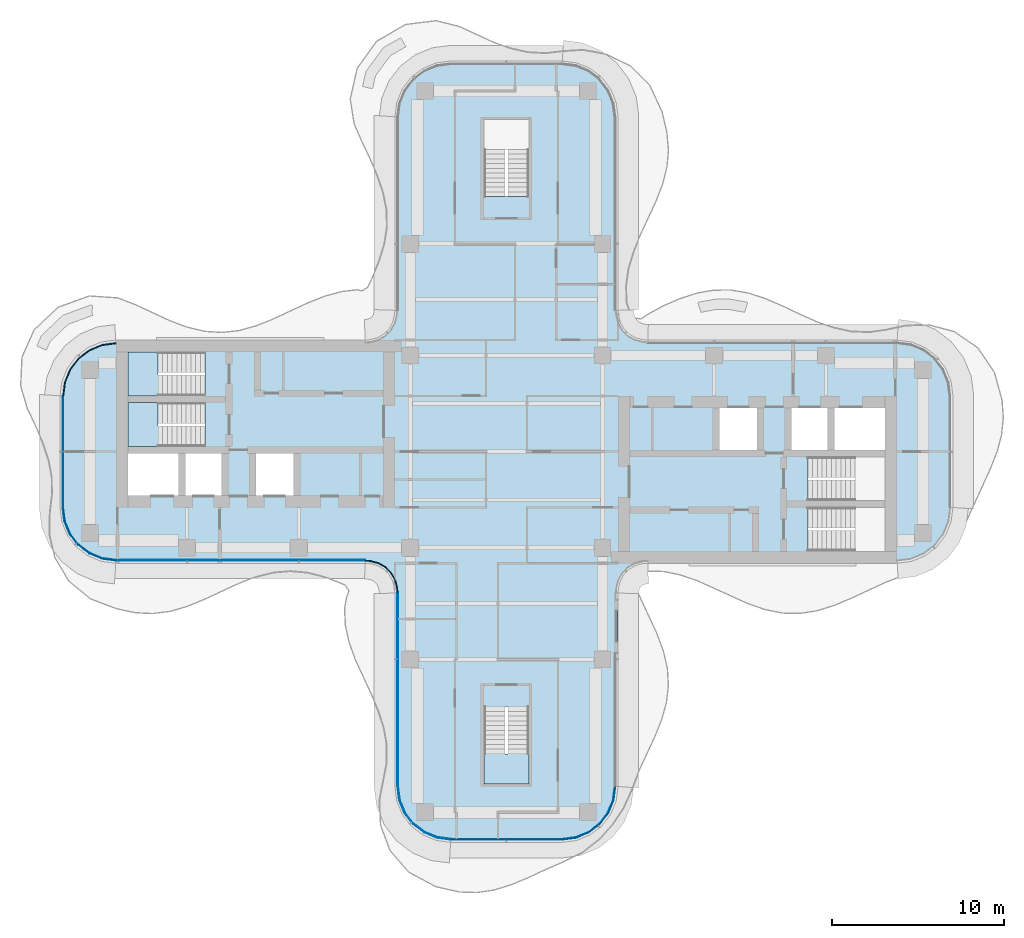
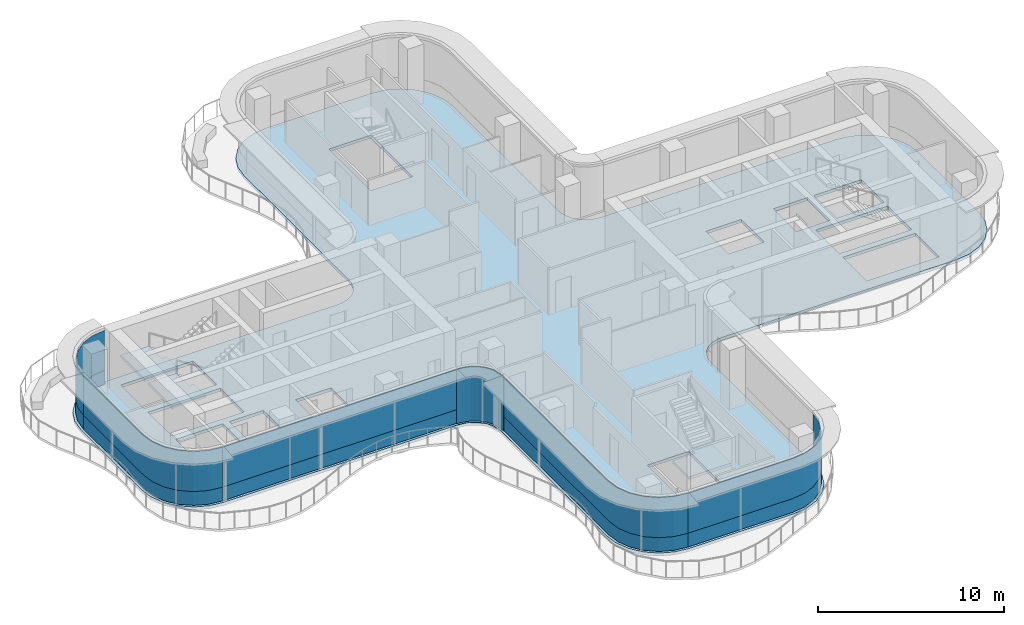
# One storey, part 8 of 17: 11 plates, 4 slabs, 9 elements without a shape of their own.
"""IFC4 building model written with IfcOpenShell, lengths in metres."""

from ifc_helpers import new_model, si_unit, direction, frame, origin, place, context, subcontext, project, spatial, polyline, outline, extrude, source, transform, mapped, material, layer, layer_set, type_object, element, aggregate, save


model = new_model("IFC4")

# Units and contexts
model_context = context("Model", 3, precision=1e-05, world=origin(), true_north=direction((0.0, 1.0)))
body_context = subcontext(model_context, "Body", "Model", "MODEL_VIEW")
ifc_project = project(units=[si_unit("LENGTHUNIT", "METRE"), si_unit("AREAUNIT", "SQUARE_METRE"), si_unit("VOLUMEUNIT", "CUBIC_METRE"), si_unit("PLANEANGLEUNIT", "RADIAN"), si_unit("MASSUNIT", "GRAM", prefix="KILO")], contexts=[model_context])

# Site, building, storey
site_placement = place(None, origin())
site = spatial("IfcSite", under=ifc_project, at=site_placement, CompositionType="ELEMENT")
building_placement = place(site_placement, origin())
building = spatial("IfcBuilding", under=site, at=building_placement, Name="Trellis Farm Tower", CompositionType="ELEMENT")
storey_placement = place(building_placement, frame((0.0, 0.0, 283.300048828125)))
storey = spatial("IfcBuildingStorey", under=building, at=storey_placement, Name="L63", CompositionType="ELEMENT", Elevation=283.300048828125)

# Slab
ifc_material_1 = material(Name="Concrete C40/50", Category="concrete")
ifc_layer_1 = layer(ifc_material_1, 0.199951171875)
ifc_layer_set_1 = layer_set([ifc_layer_1], Name="Composite deck floor slab 200")
slab_type_1 = type_object("IfcSlabType", Name="Composite deck floor slab 200", PredefinedType="FLOOR", material=ifc_layer_set_1)
shared_shape_1 = source(origin(), body_context, "Body", "SweptSolid", [
    extrude(outline(polyline([(-23.59130859375, -6.389404296875), (-24.375, -6.064697265625), (-25.048095703125, -5.548095703125), (-25.564697265625, -4.875), (-25.889404296875, -4.09130859375), (-26.0, -3.25), (-26.0, 3.25), (-25.889404296875, 4.09130859375), (-25.564697265625, 4.875), (-25.048095703125, 5.548095703125), (-24.375, 6.064697265625), (-23.59130859375, 6.389404296875), (-22.75, 6.5), (-8.2314453125, 6.5), (-8.01953125, 6.513916015625), (-7.91552734375, 6.527587890625), (-7.508544921875, 6.63671875), (-7.144287109375, 6.846923828125), (-6.846923828125, 7.144287109375), (-6.63671875, 7.508544921875), (-6.527587890625, 7.91552734375), (-6.513916015625, 8.01953125), (-6.5, 8.2314453125), (-6.5, 19.5), (-6.389404296875, 20.34130859375), (-6.064697265625, 21.125), (-5.548095703125, 21.798095703125), (-4.875, 22.314697265625), (-4.09130859375, 22.639404296875), (-3.25, 22.75), (3.25, 22.75), (4.09130859375, 22.639404296875), (4.875, 22.314697265625), (5.548095703125, 21.798095703125), (6.064697265625, 21.125), (6.389404296875, 20.34130859375), (6.5, 19.5), (6.5, 8.2314453125), (6.513916015625, 8.01953125), (6.527587890625, 7.91552734375), (6.63671875, 7.508544921875), (6.846923828125, 7.144287109375), (7.144287109375, 6.846923828125), (7.508544921875, 6.63671875), (7.91552734375, 6.527587890625), (8.01953125, 6.513916015625), (8.2314453125, 6.5), (22.75, 6.5), (23.59130859375, 6.389404296875), (24.375, 6.064697265625), (25.048095703125, 5.548095703125), (25.564697265625, 4.875), (25.889404296875, 4.09130859375), (26.0, 3.25), (26.0, -3.25), (25.889404296875, -4.09130859375), (25.564697265625, -4.875), (25.048095703125, -5.548095703125), (24.375, -6.064697265625), (23.59130859375, -6.389404296875), (22.75, -6.5), (8.2314453125, -6.5), (8.01953125, -6.513916015625), (7.91552734375, -6.527587890625), (7.508544921875, -6.63671875), (7.144287109375, -6.846923828125), (6.846923828125, -7.144287109375), (6.63671875, -7.508544921875), (6.527587890625, -7.91552734375), (6.513916015625, -8.01953125), (6.5, -8.2314453125), (6.5, -19.5), (6.389404296875, -20.34130859375), (6.064697265625, -21.125), (5.548095703125, -21.798095703125), (4.875, -22.314697265625), (4.09130859375, -22.639404296875), (3.25, -22.75), (-3.25, -22.75), (-4.09130859375, -22.639404296875), (-4.875, -22.314697265625), (-5.548095703125, -21.798095703125), (-6.064697265625, -21.125), (-6.389404296875, -20.34130859375), (-6.5, -19.5), (-6.5, -8.2314453125), (-6.513916015625, -8.01953125), (-6.527587890625, -7.91552734375), (-6.63671875, -7.508544921875), (-6.846923828125, -7.144287109375), (-7.144287109375, -6.846923828125), (-7.508544921875, -6.63671875), (-7.91552734375, -6.527587890625), (-8.01953125, -6.513916015625), (-8.2314453125, -6.5), (-22.75, -6.5), (-23.59130859375, -6.389404296875)]), holes=[polyline([(-22.050048828125, -2.550048828125), (-19.10009765625, -2.550048828125), (-19.10009765625, -0.10009765625), (-22.050048828125, -0.10009765625), (-22.050048828125, -2.550048828125)]), polyline([(-18.699951171875, -0.10009765625), (-18.699951171875, -2.550048828125), (-16.60009765625, -2.550048828125), (-16.60009765625, -0.10009765625), (-18.699951171875, -0.10009765625)]), polyline([(-14.60009765625, -0.10009765625), (-14.60009765625, -2.550048828125), (-12.39990234375, -2.550048828125), (-12.39990234375, -0.10009765625), (-14.60009765625, -0.10009765625)]), polyline([(-17.56201171875, 2.85009765625), (-22.050048828125, 2.85009765625), (-22.050048828125, 0.300048828125), (-17.56005859375, 0.300048828125), (-17.56005859375, 1.5), (-17.550048828125, 1.5), (-17.550048828125, 1.64990234375), (-17.56201171875, 1.64990234375), (-17.56201171875, 2.85009765625)]), polyline([(-17.56201171875, 4.60009765625), (-17.56201171875, 5.800048828125), (-22.050048828125, 5.800048828125), (-22.050048828125, 3.25), (-17.56005859375, 3.25), (-17.56005859375, 4.449951171875), (-17.550048828125, 4.449951171875), (-17.550048828125, 4.60009765625), (-17.56201171875, 4.60009765625)]), polyline([(0.10009765625, 14.862060546875), (1.300048828125, 14.862060546875), (1.300048828125, 19.35009765625), (-1.300048828125, 19.35009765625), (-1.300048828125, 14.860107421875), (-0.10009765625, 14.860107421875), (-0.10009765625, 14.85009765625), (0.10009765625, 14.85009765625), (0.10009765625, 14.862060546875)]), polyline([(-1.300048828125, -14.862060546875), (-1.300048828125, -19.35009765625), (1.300048828125, -19.35009765625), (1.300048828125, -14.860107421875), (0.10009765625, -14.860107421875), (0.10009765625, -14.85009765625), (-0.10009765625, -14.85009765625), (-0.10009765625, -14.862060546875), (-1.300048828125, -14.862060546875)]), polyline([(17.56201171875, -4.60009765625), (17.56201171875, -5.800048828125), (22.050048828125, -5.800048828125), (22.050048828125, -3.25), (17.56005859375, -3.25), (17.56005859375, -4.449951171875), (17.550048828125, -4.449951171875), (17.550048828125, -4.60009765625), (17.56201171875, -4.60009765625)]), polyline([(17.56201171875, -1.64990234375), (17.56201171875, -2.85009765625), (22.050048828125, -2.85009765625), (22.050048828125, -0.300048828125), (17.56005859375, -0.300048828125), (17.56005859375, -1.5), (17.550048828125, -1.5), (17.550048828125, -1.64990234375), (17.56201171875, -1.64990234375)]), polyline([(14.60009765625, 2.550048828125), (12.39990234375, 2.550048828125), (12.39990234375, 0.10009765625), (14.60009765625, 0.10009765625), (14.60009765625, 2.550048828125)]), polyline([(18.699951171875, 0.10009765625), (18.699951171875, 2.550048828125), (16.60009765625, 2.550048828125), (16.60009765625, 0.10009765625), (18.699951171875, 0.10009765625)]), polyline([(22.050048828125, 0.10009765625), (22.050048828125, 2.550048828125), (19.10009765625, 2.550048828125), (19.10009765625, 0.10009765625), (22.050048828125, 0.10009765625)])]), origin(), (0.0, 0.0, 1.0), 0.199951171875),
])
slab_1_placement = place(storey_placement, frame((0.0, 0.0, -0.199951171875)))
element("IfcSlab", 1, at=slab_1_placement, inside=storey, type_object=slab_type_1, Name="Floor slab", PredefinedType="FLOOR", context=body_context, shape_type="MappedRepresentation", body=[
    mapped(shared_shape_1, transform((0.0, 0.0, 0.0))),
])

# Stair, slab
ifc_material_2 = material(Name="Concrete C50/60", Category="concrete")
stair_type = type_object("IfcStairType", Name="CORE EXIT STAIR 22 RISERS 177 MM", PredefinedType="HALF_TURN_STAIR", material=ifc_material_2)
placement_1 = place(storey_placement, origin())
stair_1 = element("IfcStair", 2, at=placement_1, inside=storey, type_object=stair_type, Name="Exit stair S", PredefinedType="HALF_TURN_STAIR")
ifc_layer_2 = layer(ifc_material_2, 0.18994140625)
ifc_layer_set_2 = layer_set([ifc_layer_2], Name="CORE STAIR LANDING 190 CONCRETE C50/60")
slab_type_2 = type_object("IfcSlabType", Name="CORE STAIR LANDING 190 CONCRETE C50/60", PredefinedType="LANDING", material=ifc_layer_set_2)
shared_shape_2 = source(origin(), body_context, "Body", "SweptSolid", [
    extrude(outline(polyline([(1.300048828125, -19.35009765625), (-1.300048828125, -19.35009765625), (-1.300048828125, -17.60009765625), (-1.300048828125, -17.590087890625), (-0.10009765625, -17.590087890625), (-0.10009765625, -17.60009765625), (0.10009765625, -17.60009765625), (0.10009765625, -17.27197265625), (1.300048828125, -17.27197265625), (1.300048828125, -17.60009765625), (1.300048828125, -19.35009765625)])), origin(), (0.0, 0.0, 1.0), 0.18994140625),
])
placement_2 = place(storey_placement, frame((0.0, 0.0, 1.760009765625)))
slab_2 = element("IfcSlab", 3, at=placement_2, type_object=slab_type_2, Name="STS landing 1", PredefinedType="LANDING", context=body_context, shape_type="MappedRepresentation", body=[
    mapped(shared_shape_2, transform((0.0, 0.0, 0.0))),
])
aggregate(stair_1, [slab_2])

stair_2 = element("IfcStair", 4, at=placement_1, inside=storey, type_object=stair_type, Name="Exit stair W1", PredefinedType="HALF_TURN_STAIR")
shared_shape_3 = source(origin(), body_context, "Body", "SweptSolid", [
    extrude(outline(polyline([(-19.971923828125, 4.449951171875), (-19.971923828125, 3.25), (-20.300048828125, 3.25), (-22.050048828125, 3.25), (-22.050048828125, 5.800048828125), (-20.300048828125, 5.800048828125), (-20.2900390625, 5.800048828125), (-20.2900390625, 4.60009765625), (-20.300048828125, 4.60009765625), (-20.300048828125, 4.449951171875), (-19.971923828125, 4.449951171875)])), origin(), (0.0, 0.0, 1.0), 0.18994140625),
])
slab_3 = element("IfcSlab", 5, at=placement_2, type_object=slab_type_2, Name="STW1 landing 1", PredefinedType="LANDING", context=body_context, shape_type="MappedRepresentation", body=[
    mapped(shared_shape_3, transform((0.0, 0.0, 0.0))),
])
aggregate(stair_2, [slab_3])

stair_3 = element("IfcStair", 6, at=placement_1, inside=storey, type_object=stair_type, Name="Exit stair W2", PredefinedType="HALF_TURN_STAIR")
shared_shape_4 = source(origin(), body_context, "Body", "SweptSolid", [
    extrude(outline(polyline([(-19.971923828125, 1.5), (-19.971923828125, 0.300048828125), (-20.300048828125, 0.300048828125), (-22.050048828125, 0.300048828125), (-22.050048828125, 2.85009765625), (-20.300048828125, 2.85009765625), (-20.2900390625, 2.85009765625), (-20.2900390625, 1.64990234375), (-20.300048828125, 1.64990234375), (-20.300048828125, 1.5), (-19.971923828125, 1.5)])), origin(), (0.0, 0.0, 1.0), 0.18994140625),
])
slab_4 = element("IfcSlab", 7, at=placement_2, type_object=slab_type_2, Name="STW2 landing 1", PredefinedType="LANDING", context=body_context, shape_type="MappedRepresentation", body=[
    mapped(shared_shape_4, transform((0.0, 0.0, 0.0))),
])
aggregate(stair_3, [slab_4])

# Curtain wall, plate
ifc_material_3 = material(Name="Aluminium and glass curtain wall", Category="aluminium")
ifc_layer_3 = layer(ifc_material_3, 0.166015625)
ifc_layer_set_3 = layer_set([ifc_layer_3], Name="WINTER GARDEN CURTAIN WALL CW3")
curtain_wall_type_1 = type_object("IfcCurtainWallType", Name="WINTER GARDEN CURTAIN WALL CW3", PredefinedType="NOTDEFINED", material=ifc_layer_set_3)
curtain_wall_1 = element("IfcCurtainWall", 8, at=placement_1, inside=storey, type_object=curtain_wall_type_1, Name="CW3 001", PredefinedType="NOTDEFINED")
ifc_material_4 = material(Name="Clear insulated glass", Category="glass")
ifc_layer_4 = layer(ifc_material_4, 0.0458984375)
ifc_layer_set_4 = layer_set([ifc_layer_4], Name="CW3 GLASS PANEL 46")
plate_type_1 = type_object("IfcPlateType", Name="CW3 GLASS PANEL 46", PredefinedType="CURTAIN_PANEL", material=ifc_layer_set_4)
shared_shape_5 = source(origin(), body_context, "Body", "SweptSolid", [
    extrude(outline(polyline([(-8.2275390625, -6.3798828125), (-8.0078125, -6.394287109375), (-7.89208984375, -6.40966796875), (-7.462158203125, -6.52490234375), (-7.070556640625, -6.7509765625), (-6.7509765625, -7.070556640625), (-6.52490234375, -7.462158203125), (-6.40966796875, -7.89208984375), (-6.394287109375, -8.0078125), (-6.3798828125, -8.2275390625), (-6.333984375, -8.22607421875), (-6.3486328125, -8.003173828125), (-6.364501953125, -7.883056640625), (-6.48193359375, -7.4443359375), (-6.714111328125, -7.04248046875), (-7.04248046875, -6.714111328125), (-7.4443359375, -6.48193359375), (-7.883056640625, -6.364501953125), (-8.003173828125, -6.3486328125), (-8.22607421875, -6.333984375), (-8.2275390625, -6.3798828125)])), origin(), (0.0, 0.0, 1.0), 3.550048828125),
])
plate_1 = element("IfcPlate", 9, at=placement_1, type_object=plate_type_1, Name="PL3 001", PredefinedType="CURTAIN_PANEL", context=body_context, shape_type="MappedRepresentation", body=[
    mapped(shared_shape_5, transform((0.0, 0.0, 0.0))),
])
aggregate(curtain_wall_1, [plate_1])

# Curtain wall, plates
ifc_layer_5 = layer(ifc_material_3, 0.18994140625)
ifc_layer_set_5 = layer_set([ifc_layer_5], Name="RIBBON CURTAIN WALL CW1")
curtain_wall_type_2 = type_object("IfcCurtainWallType", Name="RIBBON CURTAIN WALL CW1", PredefinedType="NOTDEFINED", material=ifc_layer_set_5)
curtain_wall_2 = element("IfcCurtainWall", 10, at=placement_1, inside=storey, type_object=curtain_wall_type_2, Name="CW1 002", PredefinedType="NOTDEFINED")
ifc_layer_6 = layer(ifc_material_4, 0.0400390625)
ifc_layer_set_6 = layer_set([ifc_layer_6], Name="CW1 GLASS PANEL 40")
plate_type_2 = type_object("IfcPlateType", Name="CW1 GLASS PANEL 40", PredefinedType="CURTAIN_PANEL", material=ifc_layer_set_6)
shared_shape_6 = source(origin(), body_context, "Body", "SweptSolid", [
    extrude(outline(polyline([(-6.35009765625, -8.2265625), (-6.35009765625, -19.490234375), (-6.2431640625, -20.302001953125), (-5.93359375, -21.04931640625), (-5.441162109375, -21.691162109375), (-4.79931640625, -22.18359375), (-4.052001953125, -22.4931640625), (-3.240234375, -22.60009765625), (-3.237548828125, -22.56005859375), (-4.04150390625, -22.4541015625), (-4.779296875, -22.148681640625), (-5.41259765625, -21.66259765625), (-5.898681640625, -21.029296875), (-6.2041015625, -20.29150390625), (-6.31005859375, -19.487548828125), (-6.31005859375, -8.22509765625), (-6.35009765625, -8.2265625)])), origin(), (0.0, 0.0, 1.0), 2.6201171875),
])
placement_3 = place(storey_placement, frame((0.0, 0.0, 0.89990234375)))
plate_2 = element("IfcPlate", 11, at=placement_3, type_object=plate_type_2, Name="PL1 002", PredefinedType="CURTAIN_PANEL", context=body_context, shape_type="MappedRepresentation", body=[
    mapped(shared_shape_6, transform((0.0, 0.0, 0.0))),
])
ifc_material_5 = material(Name="Sandstone faced insulated panel", Category="masonry")
ifc_layer_7 = layer(ifc_material_5, 0.050048828125)
ifc_layer_set_7 = layer_set([ifc_layer_7], Name="CW1 STONE SPANDREL PANEL 50")
plate_type_3 = type_object("IfcPlateType", Name="CW1 STONE SPANDREL PANEL 50", PredefinedType="CURTAIN_PANEL", material=ifc_layer_set_7)
shared_shape_7 = source(origin(), body_context, "Body", "SweptSolid", [
    extrude(outline(polyline([(-6.35009765625, -8.2265625), (-6.35009765625, -19.490234375), (-6.2431640625, -20.302001953125), (-5.93359375, -21.04931640625), (-5.441162109375, -21.691162109375), (-4.79931640625, -22.18359375), (-4.052001953125, -22.4931640625), (-3.240234375, -22.60009765625), (-3.23681640625, -22.550048828125), (-4.0390625, -22.4443359375), (-4.774169921875, -22.139892578125), (-5.405517578125, -21.655517578125), (-5.889892578125, -21.024169921875), (-6.1943359375, -20.2890625), (-6.300048828125, -19.48681640625), (-6.300048828125, -8.224853515625), (-6.35009765625, -8.2265625)])), origin(), (0.0, 0.0, 1.0), 0.89990234375),
])
plate_3 = element("IfcPlate", 12, at=placement_1, type_object=plate_type_3, Name="PS1 002", PredefinedType="CURTAIN_PANEL", context=body_context, shape_type="MappedRepresentation", body=[
    mapped(shared_shape_7, transform((0.0, 0.0, 0.0))),
])
aggregate(curtain_wall_2, [plate_2, plate_3])

curtain_wall_3 = element("IfcCurtainWall", 13, at=placement_1, inside=storey, type_object=curtain_wall_type_2, Name="CW1 003", PredefinedType="NOTDEFINED")
shared_shape_8 = source(origin(), body_context, "Body", "SweptSolid", [
    extrude(outline(polyline([(-3.240234375, -22.60009765625), (3.240234375, -22.60009765625), (4.052001953125, -22.4931640625), (4.79931640625, -22.18359375), (5.441162109375, -21.691162109375), (5.93359375, -21.04931640625), (6.2431640625, -20.302001953125), (6.35009765625, -19.490234375), (6.31005859375, -19.487548828125), (6.2041015625, -20.29150390625), (5.898681640625, -21.029296875), (5.41259765625, -21.66259765625), (4.779296875, -22.148681640625), (4.04150390625, -22.4541015625), (3.237548828125, -22.56005859375), (-3.237548828125, -22.56005859375), (-3.240234375, -22.60009765625)])), origin(), (0.0, 0.0, 1.0), 2.6201171875),
])
plate_4 = element("IfcPlate", 14, at=placement_3, type_object=plate_type_2, Name="PL1 003", PredefinedType="CURTAIN_PANEL", context=body_context, shape_type="MappedRepresentation", body=[
    mapped(shared_shape_8, transform((0.0, 0.0, 0.0))),
])
shared_shape_9 = source(origin(), body_context, "Body", "SweptSolid", [
    extrude(outline(polyline([(-3.240234375, -22.60009765625), (3.240234375, -22.60009765625), (4.052001953125, -22.4931640625), (4.79931640625, -22.18359375), (5.441162109375, -21.691162109375), (5.93359375, -21.04931640625), (6.2431640625, -20.302001953125), (6.35009765625, -19.490234375), (6.300048828125, -19.48681640625), (6.1943359375, -20.2890625), (5.889892578125, -21.024169921875), (5.405517578125, -21.655517578125), (4.774169921875, -22.139892578125), (4.0390625, -22.4443359375), (3.23681640625, -22.550048828125), (-3.23681640625, -22.550048828125), (-3.240234375, -22.60009765625)])), origin(), (0.0, 0.0, 1.0), 0.89990234375),
])
plate_5 = element("IfcPlate", 15, at=placement_1, type_object=plate_type_3, Name="PS1 003", PredefinedType="CURTAIN_PANEL", context=body_context, shape_type="MappedRepresentation", body=[
    mapped(shared_shape_9, transform((0.0, 0.0, 0.0))),
])
aggregate(curtain_wall_3, [plate_4, plate_5])

curtain_wall_4 = element("IfcCurtainWall", 16, at=placement_1, inside=storey, type_object=curtain_wall_type_2, Name="CW1 001", PredefinedType="NOTDEFINED")
shared_shape_10 = source(origin(), body_context, "Body", "SweptSolid", [
    extrude(outline(polyline([(-22.740234375, -6.35009765625), (-8.2265625, -6.35009765625), (-8.22509765625, -6.31005859375), (-22.737548828125, -6.31005859375), (-22.740234375, -6.35009765625)])), origin(), (0.0, 0.0, 1.0), 2.6201171875),
])
plate_6 = element("IfcPlate", 17, at=placement_3, type_object=plate_type_2, Name="PL1 001", PredefinedType="CURTAIN_PANEL", context=body_context, shape_type="MappedRepresentation", body=[
    mapped(shared_shape_10, transform((0.0, 0.0, 0.0))),
])
shared_shape_11 = source(origin(), body_context, "Body", "SweptSolid", [
    extrude(outline(polyline([(-22.740234375, -6.35009765625), (-8.2265625, -6.35009765625), (-8.224853515625, -6.300048828125), (-22.73681640625, -6.300048828125), (-22.740234375, -6.35009765625)])), origin(), (0.0, 0.0, 1.0), 0.89990234375),
])
plate_7 = element("IfcPlate", 18, at=placement_1, type_object=plate_type_3, Name="PS1 001", PredefinedType="CURTAIN_PANEL", context=body_context, shape_type="MappedRepresentation", body=[
    mapped(shared_shape_11, transform((0.0, 0.0, 0.0))),
])
aggregate(curtain_wall_4, [plate_6, plate_7])

curtain_wall_5 = element("IfcCurtainWall", 19, at=placement_1, inside=storey, type_object=curtain_wall_type_2, Name="CW1 012", PredefinedType="NOTDEFINED")
shared_shape_12 = source(origin(), body_context, "Body", "SweptSolid", [
    extrude(outline(polyline([(-22.740234375, 6.35009765625), (-23.552001953125, 6.2431640625), (-24.29931640625, 5.93359375), (-24.941162109375, 5.441162109375), (-25.43359375, 4.79931640625), (-25.7431640625, 4.052001953125), (-25.85009765625, 3.240234375), (-25.81005859375, 3.237548828125), (-25.7041015625, 4.04150390625), (-25.398681640625, 4.779296875), (-24.91259765625, 5.41259765625), (-24.279296875, 5.898681640625), (-23.54150390625, 6.2041015625), (-22.737548828125, 6.31005859375), (-22.740234375, 6.35009765625)])), origin(), (0.0, 0.0, 1.0), 2.6201171875),
])
plate_8 = element("IfcPlate", 20, at=placement_3, type_object=plate_type_2, Name="PL1 012", PredefinedType="CURTAIN_PANEL", context=body_context, shape_type="MappedRepresentation", body=[
    mapped(shared_shape_12, transform((0.0, 0.0, 0.0))),
])
shared_shape_13 = source(origin(), body_context, "Body", "SweptSolid", [
    extrude(outline(polyline([(-22.740234375, 6.35009765625), (-23.552001953125, 6.2431640625), (-24.29931640625, 5.93359375), (-24.941162109375, 5.441162109375), (-25.43359375, 4.79931640625), (-25.7431640625, 4.052001953125), (-25.85009765625, 3.240234375), (-25.800048828125, 3.23681640625), (-25.6943359375, 4.0390625), (-25.389892578125, 4.774169921875), (-24.905517578125, 5.405517578125), (-24.274169921875, 5.889892578125), (-23.5390625, 6.1943359375), (-22.73681640625, 6.300048828125), (-22.740234375, 6.35009765625)])), origin(), (0.0, 0.0, 1.0), 0.89990234375),
])
plate_9 = element("IfcPlate", 21, at=placement_1, type_object=plate_type_3, Name="PS1 012", PredefinedType="CURTAIN_PANEL", context=body_context, shape_type="MappedRepresentation", body=[
    mapped(shared_shape_13, transform((0.0, 0.0, 0.0))),
])
aggregate(curtain_wall_5, [plate_8, plate_9])

curtain_wall_6 = element("IfcCurtainWall", 22, at=placement_1, inside=storey, type_object=curtain_wall_type_2, Name="CW1 013", PredefinedType="NOTDEFINED")
shared_shape_14 = source(origin(), body_context, "Body", "SweptSolid", [
    extrude(outline(polyline([(-25.85009765625, 3.240234375), (-25.85009765625, -3.240234375), (-25.7431640625, -4.052001953125), (-25.43359375, -4.79931640625), (-24.941162109375, -5.441162109375), (-24.29931640625, -5.93359375), (-23.552001953125, -6.2431640625), (-22.740234375, -6.35009765625), (-22.737548828125, -6.31005859375), (-23.54150390625, -6.2041015625), (-24.279296875, -5.898681640625), (-24.91259765625, -5.41259765625), (-25.398681640625, -4.779296875), (-25.7041015625, -4.04150390625), (-25.81005859375, -3.237548828125), (-25.81005859375, 3.237548828125), (-25.85009765625, 3.240234375)])), origin(), (0.0, 0.0, 1.0), 2.6201171875),
])
plate_10 = element("IfcPlate", 23, at=placement_3, type_object=plate_type_2, Name="PL1 013", PredefinedType="CURTAIN_PANEL", context=body_context, shape_type="MappedRepresentation", body=[
    mapped(shared_shape_14, transform((0.0, 0.0, 0.0))),
])
shared_shape_15 = source(origin(), body_context, "Body", "SweptSolid", [
    extrude(outline(polyline([(-25.85009765625, 3.240234375), (-25.85009765625, -3.240234375), (-25.7431640625, -4.052001953125), (-25.43359375, -4.79931640625), (-24.941162109375, -5.441162109375), (-24.29931640625, -5.93359375), (-23.552001953125, -6.2431640625), (-22.740234375, -6.35009765625), (-22.73681640625, -6.300048828125), (-23.5390625, -6.1943359375), (-24.274169921875, -5.889892578125), (-24.905517578125, -5.405517578125), (-25.389892578125, -4.774169921875), (-25.6943359375, -4.0390625), (-25.800048828125, -3.23681640625), (-25.800048828125, 3.23681640625), (-25.85009765625, 3.240234375)])), origin(), (0.0, 0.0, 1.0), 0.89990234375),
])
plate_11 = element("IfcPlate", 24, at=placement_1, type_object=plate_type_3, Name="PS1 013", PredefinedType="CURTAIN_PANEL", context=body_context, shape_type="MappedRepresentation", body=[
    mapped(shared_shape_15, transform((0.0, 0.0, 0.0))),
])
aggregate(curtain_wall_6, [plate_10, plate_11])

save(model, "model.ifc")
